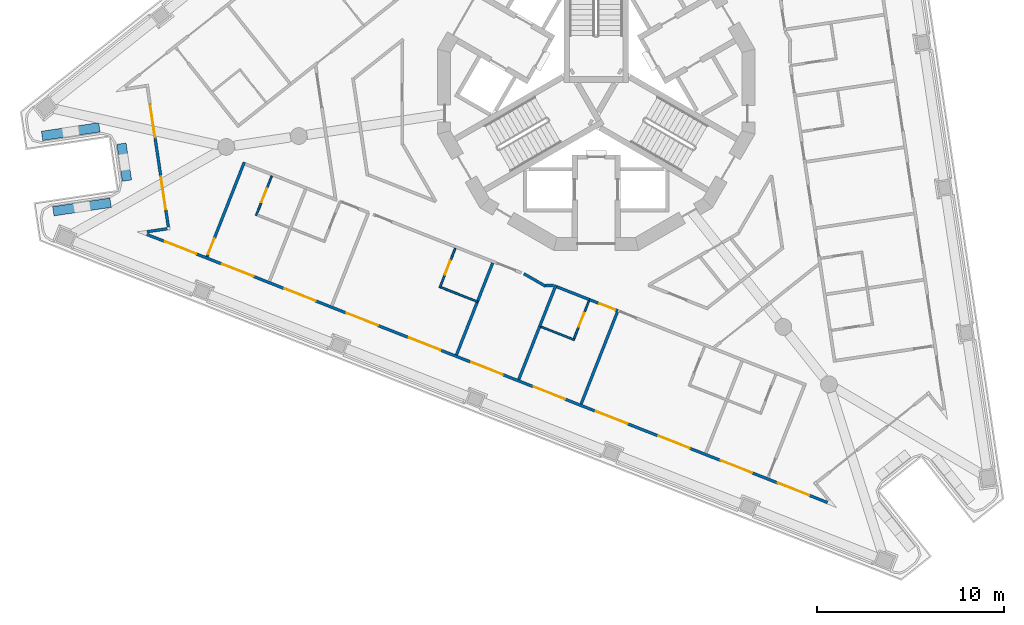
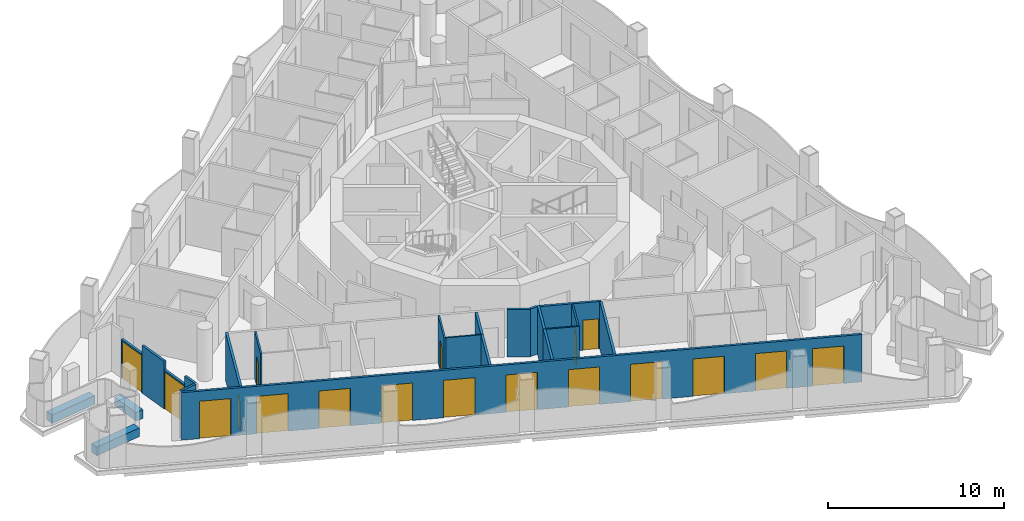
# One storey, part 2 of 17: 24 walls, 18 doors, 18 openings.
"""IFC4 building model written with IfcOpenShell, lengths in metres."""

from ifc_helpers import new_model, si_unit, direction, frame, frame_2d, origin, place, context, subcontext, project, spatial, polyline, rectangle, outline, extrude, material, layer, layer_set, type_object, element, fill, save


model = new_model("IFC4")

# Units and contexts
model_context = context("Model", 3, precision=1e-05, world=origin(), true_north=direction((0.0, 1.0)))
body_context = subcontext(model_context, "Body", "Model", "MODEL_VIEW")
ifc_project = project(units=[si_unit("LENGTHUNIT", "METRE"), si_unit("AREAUNIT", "SQUARE_METRE"), si_unit("VOLUMEUNIT", "CUBIC_METRE"), si_unit("PLANEANGLEUNIT", "RADIAN"), si_unit("MASSUNIT", "GRAM", prefix="KILO")], contexts=[model_context])

# Site, building, storey
site_placement = place(None, origin())
site = spatial("IfcSite", under=ifc_project, at=site_placement, CompositionType="ELEMENT")
building_placement = place(site_placement, origin())
building = spatial("IfcBuilding", under=site, at=building_placement, Name="Trine Commons Tower", CompositionType="ELEMENT")
storey_placement = place(building_placement, frame((0.0, 0.0, 208.800048828125)))
storey = spatial("IfcBuildingStorey", under=building, at=storey_placement, Name="L54", CompositionType="ELEMENT", Elevation=208.800048828125)

# Wall, openings, doors
ifc_material_1 = material(Name="Aluminium-framed insulated wall panel", Category="aluminium")
ifc_layer_1 = layer(ifc_material_1, 0.14990234375)
ifc_layer_set_1 = layer_set([ifc_layer_1], Name="Aluminium-framed insulated wall panel")
wall_type_1 = type_object("IfcWallType", Name="Glazed frame wall 150, EI 60", PredefinedType="SOLIDWALL", material=ifc_layer_set_1)
wall_1_placement = place(storey_placement, frame((92.513916015625, 40.4541015625, 0.0), z_axis=(0.0, 0.0, 1.0), x_axis=(-0.930417922313, 0.3665003272, 0.0)))
wall_1 = element("IfcWall", 1, at=wall_1_placement, inside=storey, type_object=wall_type_1, Name="Glazed frame wall F3", PredefinedType="SOLIDWALL", context=body_context, shape_type="SweptSolid", body=[
    extrude(outline(polyline([(0.1494140625, 0.074951171875), (0.1494140625, -0.074951171875), (39.296875, -0.074951171875), (39.296875, 0.074951171875), (0.1494140625, 0.074951171875)])), origin(), (0.0, 0.0, 1.0), 3.300048828125),
])
opening_1_placement = place(wall_1_placement, frame((1.193115234375, 0.0, 0.0)))
opening_1 = element("IfcOpeningElement", 2, at=opening_1_placement, cuts=wall_1, Name="Opening BD-6F3-01", PredefinedType="OPENING", context=body_context, shape_type="SweptSolid", body=[
    extrude(rectangle(XDim=1.800048828125, YDim=2.60009765625, at=frame_2d((0.89990234375, 1.300048828125))), frame((0.0, 0.0849609375, 0.0), z_axis=(0.0, -1.0, 0.0), x_axis=(1.0, 0.0, 0.0)), (0.0, 0.0, 1.0), 0.169921875),
])
opening_2_placement = place(wall_1_placement, frame((4.47900390625, 0.0, 0.0)))
opening_2 = element("IfcOpeningElement", 3, at=opening_2_placement, cuts=wall_1, Name="Opening BD-6F3-02", PredefinedType="OPENING", context=body_context, shape_type="SweptSolid", body=[
    extrude(rectangle(XDim=1.800048828125, YDim=2.60009765625, at=frame_2d((0.89990234375, 1.300048828125))), frame((0.0, 0.0849609375, 0.0), z_axis=(0.0, -1.0, 0.0), x_axis=(1.0, 0.0, 0.0)), (0.0, 0.0, 1.0), 0.169921875),
])
opening_3_placement = place(wall_1_placement, frame((8.06494140625, 0.0, 0.0)))
opening_3 = element("IfcOpeningElement", 4, at=opening_3_placement, cuts=wall_1, Name="Opening BD-6F3-03", PredefinedType="OPENING", context=body_context, shape_type="SweptSolid", body=[
    extrude(rectangle(XDim=1.800048828125, YDim=2.60009765625, at=frame_2d((0.89990234375, 1.300048828125))), frame((0.0, 0.0849609375, 0.0), z_axis=(0.0, -1.0, 0.0), x_axis=(1.0, 0.0, 0.0)), (0.0, 0.0, 1.0), 0.169921875),
])
opening_4_placement = place(wall_1_placement, frame((11.65087890625, 0.0, 0.0)))
opening_4 = element("IfcOpeningElement", 5, at=opening_4_placement, cuts=wall_1, Name="Opening BD-6F3-04", PredefinedType="OPENING", context=body_context, shape_type="SweptSolid", body=[
    extrude(rectangle(XDim=1.800048828125, YDim=2.60009765625, at=frame_2d((0.89990234375, 1.300048828125))), frame((0.0, 0.0849609375, 0.0), z_axis=(0.0, -1.0, 0.0), x_axis=(1.0, 0.0, 0.0)), (0.0, 0.0, 1.0), 0.169921875),
])
opening_5_placement = place(wall_1_placement, frame((15.237060546875, 0.0, 0.0)))
opening_5 = element("IfcOpeningElement", 6, at=opening_5_placement, cuts=wall_1, Name="Opening BD-6F3-05", PredefinedType="OPENING", context=body_context, shape_type="SweptSolid", body=[
    extrude(rectangle(XDim=1.800048828125, YDim=2.60009765625, at=frame_2d((0.89990234375, 1.300048828125))), frame((0.0, 0.0849609375, 0.0), z_axis=(0.0, -1.0, 0.0), x_axis=(1.0, 0.0, 0.0)), (0.0, 0.0, 1.0), 0.169921875),
])
opening_6_placement = place(wall_1_placement, frame((18.822998046875, 0.0, 0.0)))
opening_6 = element("IfcOpeningElement", 7, at=opening_6_placement, cuts=wall_1, Name="Opening BD-6F3-06", PredefinedType="OPENING", context=body_context, shape_type="SweptSolid", body=[
    extrude(rectangle(XDim=1.800048828125, YDim=2.60009765625, at=frame_2d((0.89990234375, 1.300048828125))), frame((0.0, 0.0849609375, 0.0), z_axis=(0.0, -1.0, 0.0), x_axis=(1.0, 0.0, 0.0)), (0.0, 0.0, 1.0), 0.169921875),
])
opening_7_placement = place(wall_1_placement, frame((22.408935546875, 0.0, 0.0)))
opening_7 = element("IfcOpeningElement", 8, at=opening_7_placement, cuts=wall_1, Name="Opening BD-6F3-07", PredefinedType="OPENING", context=body_context, shape_type="SweptSolid", body=[
    extrude(rectangle(XDim=1.800048828125, YDim=2.60009765625, at=frame_2d((0.89990234375, 1.300048828125))), frame((0.0, 0.0849609375, 0.0), z_axis=(0.0, -1.0, 0.0), x_axis=(1.0, 0.0, 0.0)), (0.0, 0.0, 1.0), 0.169921875),
])
opening_8_placement = place(wall_1_placement, frame((25.9951171875, 0.0, 0.0)))
opening_8 = element("IfcOpeningElement", 9, at=opening_8_placement, cuts=wall_1, Name="Opening BD-6F3-08", PredefinedType="OPENING", context=body_context, shape_type="SweptSolid", body=[
    extrude(rectangle(XDim=1.800048828125, YDim=2.60009765625, at=frame_2d((0.89990234375, 1.300048828125))), frame((0.0, 0.0849609375, 0.0), z_axis=(0.0, -1.0, 0.0), x_axis=(1.0, 0.0, 0.0)), (0.0, 0.0, 1.0), 0.169921875),
])
opening_9_placement = place(wall_1_placement, frame((29.5810546875, 0.0, 0.0)))
opening_9 = element("IfcOpeningElement", 10, at=opening_9_placement, cuts=wall_1, Name="Opening BD-6F3-09", PredefinedType="OPENING", context=body_context, shape_type="SweptSolid", body=[
    extrude(rectangle(XDim=1.800048828125, YDim=2.60009765625, at=frame_2d((0.89990234375, 1.300048828125))), frame((0.0, 0.0849609375, 0.0), z_axis=(0.0, -1.0, 0.0), x_axis=(1.0, 0.0, 0.0)), (0.0, 0.0, 1.0), 0.169921875),
])
opening_10_placement = place(wall_1_placement, frame((33.1669921875, 0.0, 0.0)))
opening_10 = element("IfcOpeningElement", 11, at=opening_10_placement, cuts=wall_1, Name="Opening BD-6F3-10", PredefinedType="OPENING", context=body_context, shape_type="SweptSolid", body=[
    extrude(rectangle(XDim=1.800048828125, YDim=2.60009765625, at=frame_2d((0.89990234375, 1.300048828125))), frame((0.0, 0.0849609375, 0.0), z_axis=(0.0, -1.0, 0.0), x_axis=(1.0, 0.0, 0.0)), (0.0, 0.0, 1.0), 0.169921875),
])
opening_11_placement = place(wall_1_placement, frame((36.452880859375, 0.0, 0.0)))
opening_11 = element("IfcOpeningElement", 12, at=opening_11_placement, cuts=wall_1, Name="Opening BD-6F3-11", PredefinedType="OPENING", context=body_context, shape_type="SweptSolid", body=[
    extrude(rectangle(XDim=1.800048828125, YDim=2.60009765625, at=frame_2d((0.89990234375, 1.300048828125))), frame((0.0, 0.0849609375, 0.0), z_axis=(0.0, -1.0, 0.0), x_axis=(1.0, 0.0, 0.0)), (0.0, 0.0, 1.0), 0.169921875),
])
ifc_material_2 = material(Name="Anodised aluminium frame with double glazing", Category="aluminium")
door_type_1 = type_object("IfcDoorType", Name="Sliding loggia door 1800x2600", OperationType="SLIDING_TO_LEFT", PredefinedType="DOOR", material=ifc_material_2)
door_1_placement = place(opening_1_placement, origin())
door_1 = element("IfcDoor", 13, at=door_1_placement, inside=storey, type_object=door_type_1, Name="Loggia door F3 1", OperationType="SLIDING_TO_LEFT", OverallHeight=2.60009765625, OverallWidth=1.800048828125, PredefinedType="DOOR", context=body_context, shape_type="SweptSolid", body=[
    extrude(rectangle(XDim=1.800048828125, YDim=2.60009765625, at=frame_2d((0.89990234375, 1.300048828125))), frame((0.0, 0.02490234375, 0.0), z_axis=(0.0, -1.0, 0.0), x_axis=(1.0, 0.0, 0.0)), (0.0, 0.0, 1.0), 0.050048828125),
])
fill(opening_1, door_1)
door_2_placement = place(opening_2_placement, origin())
door_2 = element("IfcDoor", 14, at=door_2_placement, inside=storey, type_object=door_type_1, Name="Loggia door F3 2", OperationType="SLIDING_TO_LEFT", OverallHeight=2.60009765625, OverallWidth=1.800048828125, PredefinedType="DOOR", context=body_context, shape_type="SweptSolid", body=[
    extrude(rectangle(XDim=1.800048828125, YDim=2.60009765625, at=frame_2d((0.89990234375, 1.300048828125))), frame((0.0, 0.02490234375, 0.0), z_axis=(0.0, -1.0, 0.0), x_axis=(1.0, 0.0, 0.0)), (0.0, 0.0, 1.0), 0.050048828125),
])
fill(opening_2, door_2)
door_3_placement = place(opening_3_placement, origin())
door_3 = element("IfcDoor", 15, at=door_3_placement, inside=storey, type_object=door_type_1, Name="Loggia door F3 3", OperationType="SLIDING_TO_LEFT", OverallHeight=2.60009765625, OverallWidth=1.800048828125, PredefinedType="DOOR", context=body_context, shape_type="SweptSolid", body=[
    extrude(rectangle(XDim=1.800048828125, YDim=2.60009765625, at=frame_2d((0.89990234375, 1.300048828125))), frame((0.0, 0.02490234375, 0.0), z_axis=(0.0, -1.0, 0.0), x_axis=(1.0, 0.0, 0.0)), (0.0, 0.0, 1.0), 0.050048828125),
])
fill(opening_3, door_3)
door_4_placement = place(opening_4_placement, origin())
door_4 = element("IfcDoor", 16, at=door_4_placement, inside=storey, type_object=door_type_1, Name="Loggia door F3 4", OperationType="SLIDING_TO_LEFT", OverallHeight=2.60009765625, OverallWidth=1.800048828125, PredefinedType="DOOR", context=body_context, shape_type="SweptSolid", body=[
    extrude(rectangle(XDim=1.800048828125, YDim=2.60009765625, at=frame_2d((0.89990234375, 1.300048828125))), frame((0.0, 0.02490234375, 0.0), z_axis=(0.0, -1.0, 0.0), x_axis=(1.0, 0.0, 0.0)), (0.0, 0.0, 1.0), 0.050048828125),
])
fill(opening_4, door_4)
door_5_placement = place(opening_5_placement, origin())
door_5 = element("IfcDoor", 17, at=door_5_placement, inside=storey, type_object=door_type_1, Name="Loggia door F3 5", OperationType="SLIDING_TO_LEFT", OverallHeight=2.60009765625, OverallWidth=1.800048828125, PredefinedType="DOOR", context=body_context, shape_type="SweptSolid", body=[
    extrude(rectangle(XDim=1.800048828125, YDim=2.60009765625, at=frame_2d((0.89990234375, 1.300048828125))), frame((0.0, 0.02490234375, 0.0), z_axis=(0.0, -1.0, 0.0), x_axis=(1.0, 0.0, 0.0)), (0.0, 0.0, 1.0), 0.050048828125),
])
fill(opening_5, door_5)
door_6_placement = place(opening_6_placement, origin())
door_6 = element("IfcDoor", 18, at=door_6_placement, inside=storey, type_object=door_type_1, Name="Loggia door F3 6", OperationType="SLIDING_TO_LEFT", OverallHeight=2.60009765625, OverallWidth=1.800048828125, PredefinedType="DOOR", context=body_context, shape_type="SweptSolid", body=[
    extrude(rectangle(XDim=1.800048828125, YDim=2.60009765625, at=frame_2d((0.89990234375, 1.300048828125))), frame((0.0, 0.02490234375, 0.0), z_axis=(0.0, -1.0, 0.0), x_axis=(1.0, 0.0, 0.0)), (0.0, 0.0, 1.0), 0.050048828125),
])
fill(opening_6, door_6)
door_7_placement = place(opening_7_placement, origin())
door_7 = element("IfcDoor", 19, at=door_7_placement, inside=storey, type_object=door_type_1, Name="Loggia door F3 7", OperationType="SLIDING_TO_LEFT", OverallHeight=2.60009765625, OverallWidth=1.800048828125, PredefinedType="DOOR", context=body_context, shape_type="SweptSolid", body=[
    extrude(rectangle(XDim=1.800048828125, YDim=2.60009765625, at=frame_2d((0.89990234375, 1.300048828125))), frame((0.0, 0.02490234375, 0.0), z_axis=(0.0, -1.0, 0.0), x_axis=(1.0, 0.0, 0.0)), (0.0, 0.0, 1.0), 0.050048828125),
])
fill(opening_7, door_7)
door_8_placement = place(opening_8_placement, origin())
door_8 = element("IfcDoor", 20, at=door_8_placement, inside=storey, type_object=door_type_1, Name="Loggia door F3 8", OperationType="SLIDING_TO_LEFT", OverallHeight=2.60009765625, OverallWidth=1.800048828125, PredefinedType="DOOR", context=body_context, shape_type="SweptSolid", body=[
    extrude(rectangle(XDim=1.800048828125, YDim=2.60009765625, at=frame_2d((0.89990234375, 1.300048828125))), frame((0.0, 0.02490234375, 0.0), z_axis=(0.0, -1.0, 0.0), x_axis=(1.0, 0.0, 0.0)), (0.0, 0.0, 1.0), 0.050048828125),
])
fill(opening_8, door_8)
door_9_placement = place(opening_9_placement, origin())
door_9 = element("IfcDoor", 21, at=door_9_placement, inside=storey, type_object=door_type_1, Name="Loggia door F3 9", OperationType="SLIDING_TO_LEFT", OverallHeight=2.60009765625, OverallWidth=1.800048828125, PredefinedType="DOOR", context=body_context, shape_type="SweptSolid", body=[
    extrude(rectangle(XDim=1.800048828125, YDim=2.60009765625, at=frame_2d((0.89990234375, 1.300048828125))), frame((0.0, 0.02490234375, 0.0), z_axis=(0.0, -1.0, 0.0), x_axis=(1.0, 0.0, 0.0)), (0.0, 0.0, 1.0), 0.050048828125),
])
fill(opening_9, door_9)
door_10_placement = place(opening_10_placement, origin())
door_10 = element("IfcDoor", 22, at=door_10_placement, inside=storey, type_object=door_type_1, Name="Loggia door F3 10", OperationType="SLIDING_TO_LEFT", OverallHeight=2.60009765625, OverallWidth=1.800048828125, PredefinedType="DOOR", context=body_context, shape_type="SweptSolid", body=[
    extrude(rectangle(XDim=1.800048828125, YDim=2.60009765625, at=frame_2d((0.89990234375, 1.300048828125))), frame((0.0, 0.02490234375, 0.0), z_axis=(0.0, -1.0, 0.0), x_axis=(1.0, 0.0, 0.0)), (0.0, 0.0, 1.0), 0.050048828125),
])
fill(opening_10, door_10)
door_11_placement = place(opening_11_placement, origin())
door_11 = element("IfcDoor", 23, at=door_11_placement, inside=storey, type_object=door_type_1, Name="Loggia door F3 11", OperationType="SLIDING_TO_LEFT", OverallHeight=2.60009765625, OverallWidth=1.800048828125, PredefinedType="DOOR", context=body_context, shape_type="SweptSolid", body=[
    extrude(rectangle(XDim=1.800048828125, YDim=2.60009765625, at=frame_2d((0.89990234375, 1.300048828125))), frame((0.0, 0.02490234375, 0.0), z_axis=(0.0, -1.0, 0.0), x_axis=(1.0, 0.0, 0.0)), (0.0, 0.0, 1.0), 0.050048828125),
])
fill(opening_11, door_11)

# Walls
wall_2_placement = place(storey_placement, frame((55.8203125, 54.978515625, 0.0), z_axis=(0.0, 0.0, 1.0), x_axis=(0.98902141065, 0.147772288596, 0.0)))
element("IfcWall", 24, at=wall_2_placement, inside=storey, type_object=wall_type_1, Name="Glazed frame wall R10", PredefinedType="SOLIDWALL", context=body_context, shape_type="SweptSolid", body=[
    extrude(outline(polyline([(0.1494140625, 0.074951171875), (0.1494140625, -0.074951171875), (1.235107421875, -0.074951171875), (1.235107421875, 0.074951171875), (0.1494140625, 0.074951171875)])), origin(), (0.0, 0.0, 1.0), 3.300048828125),
])
wall_3_placement = place(storey_placement, frame((57.12109375, 55.137451171875, 0.0), z_axis=(0.0, 0.0, 1.0), x_axis=(-0.147946480694, 0.988995368468, 0.0)))
element("IfcWall", 25, at=wall_3_placement, inside=storey, type_object=wall_type_1, Name="Glazed frame wall P3.1", PredefinedType="SOLIDWALL", context=body_context, shape_type="SweptSolid", body=[
    extrude(outline(polyline([(0.110107421875, -0.074951171875), (1.0, -0.074951171875), (1.0, 0.074951171875), (0.110107421875, 0.074951171875), (0.110107421875, -0.074951171875)])), origin(), (0.0, 0.0, 1.0), 3.300048828125),
])

# Wall, opening, door
wall_4_placement = place(storey_placement, frame((56.97314453125, 56.12646484375, 0.0), z_axis=(0.0, 0.0, 1.0), x_axis=(-0.147768643441, 0.989021955275, 0.0)))
wall_4 = element("IfcWall", 26, at=wall_4_placement, inside=storey, type_object=wall_type_1, Name="Glazed frame wall P3.2", PredefinedType="SOLIDWALL", context=body_context, shape_type="SweptSolid", body=[
    extrude(outline(polyline([(0.0, -0.074951171875), (1.89990234375, -0.074951171875), (1.89990234375, 0.074951171875), (0.0, 0.074951171875), (0.0, -0.074951171875)])), origin(), (0.0, 0.0, 1.0), 2.699951171875),
])
opening_12_placement = place(wall_4_placement, frame((0.050048828125, 0.0, 0.0)))
opening_12 = element("IfcOpeningElement", 27, at=opening_12_placement, cuts=wall_4, Name="Opening BD-6P3-01", PredefinedType="OPENING", context=body_context, shape_type="SweptSolid", body=[
    extrude(rectangle(XDim=1.800048828125, YDim=2.60009765625, at=frame_2d((0.89990234375, 1.300048828125))), frame((0.0, 0.0849609375, 0.0), z_axis=(0.0, -1.0, 0.0), x_axis=(1.0, 0.0, 0.0)), (0.0, 0.0, 1.0), 0.169921875),
])
door_12_placement = place(opening_12_placement, origin())
door_12 = element("IfcDoor", 28, at=door_12_placement, inside=storey, type_object=door_type_1, Name="Loggia door P3 1", OperationType="SLIDING_TO_LEFT", OverallHeight=2.60009765625, OverallWidth=1.800048828125, PredefinedType="DOOR", context=body_context, shape_type="SweptSolid", body=[
    extrude(rectangle(XDim=1.800048828125, YDim=2.60009765625, at=frame_2d((0.89990234375, 1.300048828125))), frame((0.0, 0.02490234375, 0.0), z_axis=(0.0, -1.0, 0.0), x_axis=(1.0, 0.0, 0.0)), (0.0, 0.0, 1.0), 0.050048828125),
])
fill(opening_12, door_12)

# Wall
wall_5_placement = place(storey_placement, frame((56.6923828125, 58.005615234375, 0.0), z_axis=(0.0, 0.0, 1.0), x_axis=(-0.147827081252, 0.989013222383, 0.0)))
element("IfcWall", 29, at=wall_5_placement, inside=storey, type_object=wall_type_1, Name="Glazed frame wall P3.3", PredefinedType="SOLIDWALL", context=body_context, shape_type="SweptSolid", body=[
    extrude(outline(polyline([(0.0, -0.074951171875), (2.0, -0.074951171875), (2.0, 0.074951171875), (0.0, 0.074951171875), (0.0, -0.074951171875)])), origin(), (0.0, 0.0, 1.0), 3.300048828125),
])

# Wall, opening, door
wall_6_placement = place(storey_placement, frame((56.396728515625, 59.983642578125, 0.0), z_axis=(0.0, 0.0, 1.0), x_axis=(-0.147768643441, 0.989021955275, 0.0)))
wall_6 = element("IfcWall", 30, at=wall_6_placement, inside=storey, type_object=wall_type_1, Name="Glazed frame wall P3.4", PredefinedType="SOLIDWALL", context=body_context, shape_type="SweptSolid", body=[
    extrude(outline(polyline([(0.0, -0.074951171875), (1.89990234375, -0.074951171875), (1.89990234375, 0.074951171875), (0.0, 0.074951171875), (0.0, -0.074951171875)])), origin(), (0.0, 0.0, 1.0), 2.699951171875),
])
opening_13_placement = place(wall_6_placement, frame((0.050048828125, 0.0, 0.0)))
opening_13 = element("IfcOpeningElement", 31, at=opening_13_placement, cuts=wall_6, Name="Opening BD-6P3-02", PredefinedType="OPENING", context=body_context, shape_type="SweptSolid", body=[
    extrude(rectangle(XDim=1.800048828125, YDim=2.60009765625, at=frame_2d((0.89990234375, 1.300048828125))), frame((0.0, 0.0849609375, 0.0), z_axis=(0.0, -1.0, 0.0), x_axis=(1.0, 0.0, 0.0)), (0.0, 0.0, 1.0), 0.169921875),
])
door_13_placement = place(opening_13_placement, origin())
door_13 = element("IfcDoor", 32, at=door_13_placement, inside=storey, type_object=door_type_1, Name="Loggia door P3 2", OperationType="SLIDING_TO_LEFT", OverallHeight=2.60009765625, OverallWidth=1.800048828125, PredefinedType="DOOR", context=body_context, shape_type="SweptSolid", body=[
    extrude(rectangle(XDim=1.800048828125, YDim=2.60009765625, at=frame_2d((0.89990234375, 1.300048828125))), frame((0.0, 0.02490234375, 0.0), z_axis=(0.0, -1.0, 0.0), x_axis=(1.0, 0.0, 0.0)), (0.0, 0.0, 1.0), 0.050048828125),
])
fill(opening_13, door_13)

# Walls
ifc_material_3 = material(Name="Planter trough, precast concrete C40/50", Category="concrete")
ifc_layer_2 = layer(ifc_material_3, 0.5)
ifc_layer_set_2 = layer_set([ifc_layer_2], Name="Planter trough, precast concrete C40/50")
wall_type_2 = type_object("IfcWallType", Name="Planter trough 500x600", PredefinedType="PARAPET", material=ifc_layer_set_2)
wall_7_placement = place(storey_placement, frame((50.94677734375, 56.09521484375, 0.0), z_axis=(0.0, 0.0, 1.0), x_axis=(0.989011904818, 0.147835895942, 0.0)))
element("IfcWall", 33, at=wall_7_placement, inside=storey, type_object=wall_type_2, Name="Planter 1", PredefinedType="PARAPET", context=body_context, shape_type="SweptSolid", body=[
    extrude(rectangle(XDim=3.099853515625, YDim=0.5, at=frame_2d((1.5498046875, 0.0))), origin(), (0.0, 0.0, 1.0), 0.599853515625),
])
wall_8_placement = place(storey_placement, frame((54.887451171875, 57.73583984375, 0.0), z_axis=(0.0, 0.0, 1.0), x_axis=(-0.147827081252, 0.989013222383, 0.0)))
element("IfcWall", 34, at=wall_8_placement, inside=storey, type_object=wall_type_2, Name="Planter 2", PredefinedType="PARAPET", context=body_context, shape_type="SweptSolid", body=[
    extrude(rectangle(XDim=2.0, YDim=0.5, at=frame_2d((1.0, 0.0))), origin(), (0.0, 0.0, 1.0), 0.599853515625),
])
wall_9_placement = place(storey_placement, frame((53.409423828125, 60.588623046875, 0.0), z_axis=(0.0, 0.0, 1.0), x_axis=(-0.989013625991, -0.147824380951, 0.0)))
element("IfcWall", 35, at=wall_9_placement, inside=storey, type_object=wall_type_2, Name="Planter 3", PredefinedType="PARAPET", context=body_context, shape_type="SweptSolid", body=[
    extrude(rectangle(XDim=3.099853515625, YDim=0.5, at=frame_2d((1.5498046875, 0.0))), origin(), (0.0, 0.0, 1.0), 0.599853515625),
])

# Wall, opening, door
ifc_material_4 = material(Name="Gypsum plasterboard on steel stud", Category="steel")
ifc_layer_3 = layer(ifc_material_4, 0.14990234375)
ifc_layer_set_3 = layer_set([ifc_layer_3], Name="Gypsum plasterboard on steel stud")
wall_type_3 = type_object("IfcWallType", Name="Unit and corridor wall 150 mm, EI 60", PredefinedType="PARTITIONING", material=ifc_layer_set_3)
wall_10_placement = place(storey_placement, frame((59.1767578125, 53.666259765625, 0.0), z_axis=(0.0, 0.0, 1.0), x_axis=(0.366413764384, 0.930452015565, 0.0)))
wall_10 = element("IfcWall", 36, at=wall_10_placement, inside=storey, type_object=wall_type_3, Name="Partition 002", PredefinedType="PARTITIONING", context=body_context, shape_type="SweptSolid", body=[
    extrude(rectangle(XDim=5.435546875, YDim=0.14990234375, at=frame_2d((2.7177734375, 0.0))), origin(), (0.0, 0.0, 1.0), 3.300048828125),
])
opening_14_placement = place(wall_10_placement, frame((0.14990234375, 0.0, 0.0)))
opening_14 = element("IfcOpeningElement", 37, at=opening_14_placement, cuts=wall_10, Name="Opening D-6B27", PredefinedType="OPENING", context=body_context, shape_type="SweptSolid", body=[
    extrude(rectangle(XDim=0.89990234375, YDim=2.10009765625, at=frame_2d((0.449951171875, 1.050048828125))), frame((0.0, 0.0849609375, 0.0), z_axis=(0.0, -1.0, 0.0), x_axis=(1.0, 0.0, 0.0)), (0.0, 0.0, 1.0), 0.169921875),
])
ifc_material_5 = material(Name="Timber fire door set", Category="wood")
door_type_2 = type_object("IfcDoorType", Name="Bedroom door 900 x 2100, FD30S", OperationType="NOTDEFINED", PredefinedType="DOOR", material=ifc_material_5)
door_14_placement = place(opening_14_placement, frame((0.89990234375, 0.0, 0.0), z_axis=(0.0, 0.0, 1.0), x_axis=(-1.0, 0.0, 0.0)))
door_14 = element("IfcDoor", 38, at=door_14_placement, inside=storey, type_object=door_type_2, Name="Door D-6B27", OperationType="SINGLE_SWING_RIGHT", OverallHeight=2.10009765625, OverallWidth=0.89990234375, PredefinedType="DOOR", context=body_context, shape_type="SweptSolid", body=[
    extrude(rectangle(XDim=0.89990234375, YDim=2.10009765625, at=frame_2d((0.449951171875, 1.050048828125))), frame((0.0, 0.02490234375, 0.0), z_axis=(0.0, -1.0, 0.0), x_axis=(1.0, 0.0, 0.0)), (0.0, 0.0, 1.0), 0.050048828125),
])
fill(opening_14, door_14)

# Walls
wall_11_placement = place(storey_placement, frame((72.522705078125, 48.4091796875, 0.0), z_axis=(0.0, 0.0, 1.0), x_axis=(0.366591400061, 0.930382042712, 0.0)))
element("IfcWall", 39, at=wall_11_placement, inside=storey, type_object=wall_type_3, Name="Partition 043", PredefinedType="PARTITIONING", context=body_context, shape_type="SweptSolid", body=[
    extrude(rectangle(XDim=3.064208984375, YDim=0.14990234375, at=frame_2d((1.5322265625, 0.0))), origin(), (0.0, 0.0, 1.0), 3.300048828125),
])
wall_12_placement = place(storey_placement, frame((73.64306640625, 51.2529296875, 0.0), z_axis=(0.0, 0.0, 1.0), x_axis=(0.366248689525, 0.930517005444, 0.0)))
element("IfcWall", 40, at=wall_12_placement, inside=storey, type_object=wall_type_3, Name="Partition 046", PredefinedType="PARTITIONING", context=body_context, shape_type="SweptSolid", body=[
    extrude(rectangle(XDim=2.22900390625, YDim=0.14990234375, at=frame_2d((1.114501953125, 0.0))), origin(), (0.0, 0.0, 1.0), 3.300048828125),
])
wall_13_placement = place(storey_placement, frame((75.858642578125, 47.09521484375, 0.0), z_axis=(0.0, 0.0, 1.0), x_axis=(0.366777753462, 0.930308593729, 0.0)))
element("IfcWall", 41, at=wall_13_placement, inside=storey, type_object=wall_type_3, Name="Partition 050", PredefinedType="PARTITIONING", context=body_context, shape_type="SweptSolid", body=[
    extrude(rectangle(XDim=3.059814453125, YDim=0.14990234375, at=frame_2d((1.52978515625, 0.0))), origin(), (0.0, 0.0, 1.0), 3.300048828125),
])
wall_14_placement = place(storey_placement, frame((76.131103515625, 52.75390625, 0.0), z_axis=(0.0, 0.0, 1.0), x_axis=(0.865910926182, -0.500198228624, 0.0)))
element("IfcWall", 42, at=wall_14_placement, inside=storey, type_object=wall_type_3, Name="Partition 051", PredefinedType="PARTITIONING", context=body_context, shape_type="SweptSolid", body=[
    extrude(rectangle(XDim=1.33251953125, YDim=0.14990234375, at=frame_2d((0.666259765625, 0.0))), origin(), (0.0, 0.0, 1.0), 3.300048828125),
])
wall_15_placement = place(storey_placement, frame((76.98095703125, 49.94189453125, 0.0), z_axis=(0.0, 0.0, 1.0), x_axis=(0.366529910892, 0.930406268477, 0.0)))
element("IfcWall", 43, at=wall_15_placement, inside=storey, type_object=wall_type_3, Name="Partition 053", PredefinedType="PARTITIONING", context=body_context, shape_type="SweptSolid", body=[
    extrude(rectangle(XDim=2.375244140625, YDim=0.14990234375, at=frame_2d((1.1875, 0.0))), origin(), (0.0, 0.0, 1.0), 3.300048828125),
])
wall_16_placement = place(storey_placement, frame((77.294921875, 52.125, 0.0), z_axis=(0.0, 0.0, 1.0), x_axis=(1.0, 0.0, 0.0)))
element("IfcWall", 44, at=wall_16_placement, inside=storey, type_object=wall_type_3, Name="Partition 056", PredefinedType="PARTITIONING", context=body_context, shape_type="SweptSolid", body=[
    extrude(rectangle(XDim=0.43212890625, YDim=0.14990234375, at=frame_2d((0.216064453125, 0.0))), origin(), (0.0, 0.0, 1.0), 3.300048828125),
])
wall_17_placement = place(storey_placement, frame((77.890869140625, 52.056396484375, 0.0), z_axis=(0.0, 0.0, 1.0), x_axis=(0.930484781862, -0.366330548443, 0.0)))
element("IfcWall", 45, at=wall_17_placement, inside=storey, type_object=wall_type_3, Name="Partition 060", PredefinedType="PARTITIONING", context=body_context, shape_type="SweptSolid", body=[
    extrude(rectangle(XDim=1.882080078125, YDim=0.14990234375, at=frame_2d((0.94091796875, 0.0))), origin(), (0.0, 0.0, 1.0), 3.300048828125),
])
wall_18_placement = place(storey_placement, frame((79.19580078125, 45.78125, 0.0), z_axis=(0.0, 0.0, 1.0), x_axis=(0.366486950259, 0.930423191505, 0.0)))
element("IfcWall", 46, at=wall_18_placement, inside=storey, type_object=wall_type_3, Name="Partition 063", PredefinedType="PARTITIONING", context=body_context, shape_type="SweptSolid", body=[
    extrude(rectangle(XDim=5.28466796875, YDim=0.14990234375, at=frame_2d((2.642333984375, 0.0))), origin(), (0.0, 0.0, 1.0), 3.300048828125),
])

# Wall, opening, door
wall_19_placement = place(storey_placement, frame((79.635009765625, 51.3701171875, 0.0), z_axis=(0.0, 0.0, 1.0), x_axis=(0.930268646591, -0.366879060686, 0.0)))
wall_19 = element("IfcWall", 47, at=wall_19_placement, inside=storey, type_object=wall_type_3, Name="Partition 066", PredefinedType="PARTITIONING", context=body_context, shape_type="SweptSolid", body=[
    extrude(rectangle(XDim=1.6435546875, YDim=0.14990234375, at=frame_2d((0.82177734375, 0.0))), origin(), (0.0, 0.0, 1.0), 3.300048828125),
])
opening_15_placement = place(wall_19_placement, frame((0.589599609375, 0.0, 0.0)))
opening_15 = element("IfcOpeningElement", 48, at=opening_15_placement, cuts=wall_19, Name="Opening D-6B23", PredefinedType="OPENING", context=body_context, shape_type="SweptSolid", body=[
    extrude(rectangle(XDim=0.89990234375, YDim=2.10009765625, at=frame_2d((0.449951171875, 1.050048828125))), frame((0.0, 0.0849609375, 0.0), z_axis=(0.0, -1.0, 0.0), x_axis=(1.0, 0.0, 0.0)), (0.0, 0.0, 1.0), 0.169921875),
])
door_15_placement = place(opening_15_placement, frame((0.89990234375, 0.0, 0.0), z_axis=(0.0, 0.0, 1.0), x_axis=(-1.0, 0.0, 0.0)))
door_15 = element("IfcDoor", 49, at=door_15_placement, inside=storey, type_object=door_type_2, Name="Door D-6B23", OperationType="SINGLE_SWING_LEFT", OverallHeight=2.10009765625, OverallWidth=0.89990234375, PredefinedType="DOOR", context=body_context, shape_type="SweptSolid", body=[
    extrude(rectangle(XDim=0.89990234375, YDim=2.10009765625, at=frame_2d((0.449951171875, 1.050048828125))), frame((0.0, 0.02490234375, 0.0), z_axis=(0.0, -1.0, 0.0), x_axis=(1.0, 0.0, 0.0)), (0.0, 0.0, 1.0), 0.050048828125),
])
fill(opening_15, door_15)

ifc_layer_4 = layer(ifc_material_4, 0.10009765625)
ifc_layer_set_4 = layer_set([ifc_layer_4], Name="Gypsum plasterboard on steel stud")
wall_type_4 = type_object("IfcWallType", Name="Unit partition 100 mm, no rating", PredefinedType="PARTITIONING", material=ifc_layer_set_4)
wall_20_placement = place(storey_placement, frame((61.8017578125, 55.867431640625, 0.0), z_axis=(0.0, 0.0, 1.0), x_axis=(0.366482291334, 0.930425026608, 0.0)))
wall_20 = element("IfcWall", 50, at=wall_20_placement, inside=storey, type_object=wall_type_4, Name="Partition 008", PredefinedType="PARTITIONING", context=body_context, shape_type="SweptSolid", body=[
    extrude(rectangle(XDim=2.27490234375, YDim=0.10009765625, at=frame_2d((1.137451171875, 0.0))), origin(), (0.0, 0.0, 1.0), 3.300048828125),
])
opening_16_placement = place(wall_20_placement, frame((0.762451171875, 0.0, 0.0)))
opening_16 = element("IfcOpeningElement", 51, at=opening_16_placement, cuts=wall_20, Name="Opening D-6B55", PredefinedType="OPENING", context=body_context, shape_type="SweptSolid", body=[
    extrude(rectangle(XDim=0.800048828125, YDim=2.10009765625, at=frame_2d((0.39990234375, 1.050048828125))), frame((0.0, 0.06005859375, 0.0), z_axis=(0.0, -1.0, 0.0), x_axis=(1.0, 0.0, 0.0)), (0.0, 0.0, 1.0), 0.1201171875),
])
ifc_material_6 = material(Name="Painted timber", Category="wood")
door_type_3 = type_object("IfcDoorType", Name="Internal door 800 x 2100, NOT RATED", OperationType="NOTDEFINED", PredefinedType="DOOR", material=ifc_material_6)
door_16_placement = place(opening_16_placement, origin())
door_16 = element("IfcDoor", 52, at=door_16_placement, inside=storey, type_object=door_type_3, Name="Door D-6B55", OperationType="SINGLE_SWING_RIGHT", OverallHeight=2.10009765625, OverallWidth=0.800048828125, PredefinedType="DOOR", context=body_context, shape_type="SweptSolid", body=[
    extrude(rectangle(XDim=0.800048828125, YDim=2.10009765625, at=frame_2d((0.39990234375, 1.050048828125))), frame((0.0, 0.02490234375, 0.0), z_axis=(0.0, -1.0, 0.0), x_axis=(1.0, 0.0, 0.0)), (0.0, 0.0, 1.0), 0.050048828125),
])
fill(opening_16, door_16)

wall_21_placement = place(storey_placement, frame((71.625732421875, 51.99853515625, 0.0), z_axis=(0.0, 0.0, 1.0), x_axis=(0.366482291334, 0.930425026608, 0.0)))
wall_21 = element("IfcWall", 53, at=wall_21_placement, inside=storey, type_object=wall_type_4, Name="Partition 038", PredefinedType="PARTITIONING", context=body_context, shape_type="SweptSolid", body=[
    extrude(rectangle(XDim=2.27490234375, YDim=0.10009765625, at=frame_2d((1.137451171875, 0.0))), origin(), (0.0, 0.0, 1.0), 3.300048828125),
])
opening_17_placement = place(wall_21_placement, frame((0.762451171875, 0.0, 0.0)))
opening_17 = element("IfcOpeningElement", 54, at=opening_17_placement, cuts=wall_21, Name="Opening D-6B53", PredefinedType="OPENING", context=body_context, shape_type="SweptSolid", body=[
    extrude(rectangle(XDim=0.800048828125, YDim=2.10009765625, at=frame_2d((0.39990234375, 1.050048828125))), frame((0.0, 0.06005859375, 0.0), z_axis=(0.0, -1.0, 0.0), x_axis=(1.0, 0.0, 0.0)), (0.0, 0.0, 1.0), 0.1201171875),
])
door_17_placement = place(opening_17_placement, origin())
door_17 = element("IfcDoor", 55, at=door_17_placement, inside=storey, type_object=door_type_3, Name="Door D-6B53", OperationType="SINGLE_SWING_RIGHT", OverallHeight=2.10009765625, OverallWidth=0.800048828125, PredefinedType="DOOR", context=body_context, shape_type="SweptSolid", body=[
    extrude(rectangle(XDim=0.800048828125, YDim=2.10009765625, at=frame_2d((0.39990234375, 1.050048828125))), frame((0.0, 0.02490234375, 0.0), z_axis=(0.0, -1.0, 0.0), x_axis=(1.0, 0.0, 0.0)), (0.0, 0.0, 1.0), 0.050048828125),
])
fill(opening_17, door_17)

# Walls
wall_22_placement = place(storey_placement, frame((71.6904296875, 52.026611328125, 0.0), z_axis=(0.0, 0.0, 1.0), x_axis=(0.93042040786, -0.366494017192, 0.0)))
element("IfcWall", 56, at=wall_22_placement, inside=storey, type_object=wall_type_4, Name="Partition 039", PredefinedType="PARTITIONING", context=body_context, shape_type="SweptSolid", body=[
    extrude(rectangle(XDim=2.099609375, YDim=0.10009765625, at=frame_2d((1.0498046875, 0.0))), origin(), (0.0, 0.0, 1.0), 3.300048828125),
])
wall_23_placement = place(storey_placement, frame((77.05078125, 49.91455078125, 0.0), z_axis=(0.0, 0.0, 1.0), x_axis=(0.930518470996, -0.366244966021, 0.0)))
element("IfcWall", 57, at=wall_23_placement, inside=storey, type_object=wall_type_4, Name="Partition 054", PredefinedType="PARTITIONING", context=body_context, shape_type="SweptSolid", body=[
    extrude(rectangle(XDim=1.924560546875, YDim=0.10009765625, at=frame_2d((0.96240234375, 0.0))), origin(), (0.0, 0.0, 1.0), 3.300048828125),
])

# Wall, opening, door
wall_24_placement = place(storey_placement, frame((78.813232421875, 49.2744140625, 0.0), z_axis=(0.0, 0.0, 1.0), x_axis=(0.366586349489, 0.930384032735, 0.0)))
wall_24 = element("IfcWall", 58, at=wall_24_placement, inside=storey, type_object=wall_type_4, Name="Partition 061", PredefinedType="PARTITIONING", context=body_context, shape_type="SweptSolid", body=[
    extrude(rectangle(XDim=2.175048828125, YDim=0.10009765625, at=frame_2d((1.08740234375, 0.0))), origin(), (0.0, 0.0, 1.0), 3.300048828125),
])
opening_18_placement = place(wall_24_placement, frame((0.6875, 0.0, 0.0)))
opening_18 = element("IfcOpeningElement", 59, at=opening_18_placement, cuts=wall_24, Name="Opening D-6B52", PredefinedType="OPENING", context=body_context, shape_type="SweptSolid", body=[
    extrude(rectangle(XDim=0.800048828125, YDim=2.10009765625, at=frame_2d((0.39990234375, 1.050048828125))), frame((0.0, 0.06005859375, 0.0), z_axis=(0.0, -1.0, 0.0), x_axis=(1.0, 0.0, 0.0)), (0.0, 0.0, 1.0), 0.1201171875),
])
door_18_placement = place(opening_18_placement, frame((0.800048828125, 0.0, 0.0), z_axis=(0.0, 0.0, 1.0), x_axis=(-1.0, 0.0, 0.0)))
door_18 = element("IfcDoor", 60, at=door_18_placement, inside=storey, type_object=door_type_3, Name="Door D-6B52", OperationType="SINGLE_SWING_LEFT", OverallHeight=2.10009765625, OverallWidth=0.800048828125, PredefinedType="DOOR", context=body_context, shape_type="SweptSolid", body=[
    extrude(rectangle(XDim=0.800048828125, YDim=2.10009765625, at=frame_2d((0.39990234375, 1.050048828125))), frame((0.0, 0.02490234375, 0.0), z_axis=(0.0, -1.0, 0.0), x_axis=(1.0, 0.0, 0.0)), (0.0, 0.0, 1.0), 0.050048828125),
])
fill(opening_18, door_18)

save(model, "model.ifc")
